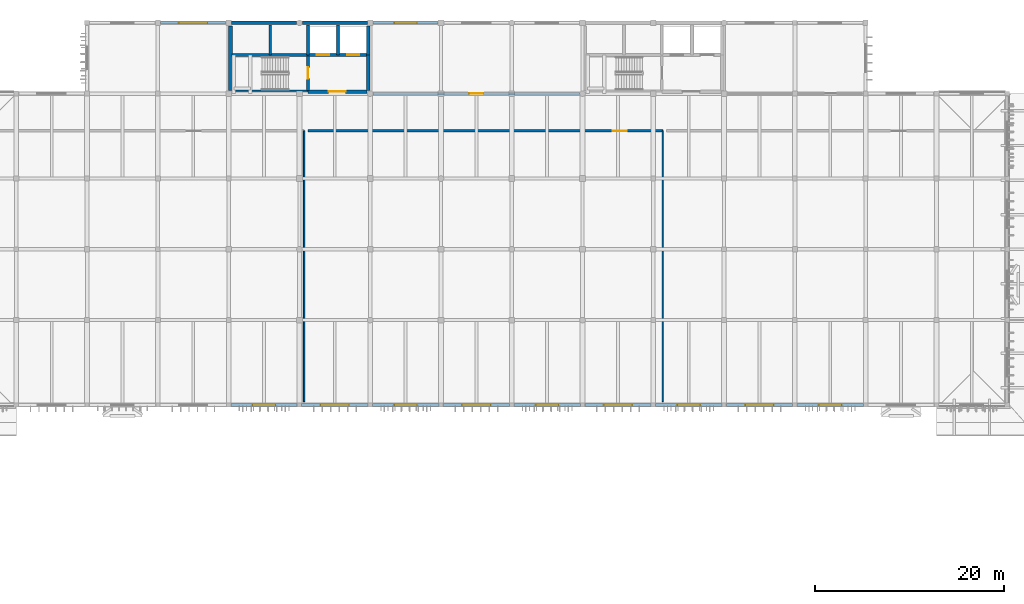
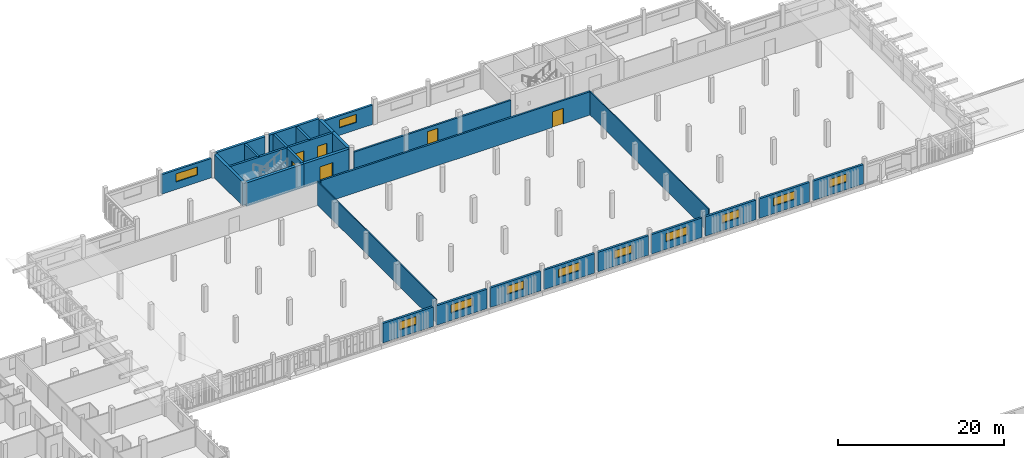
# One storey, part 22 of 43: 28 walls, 11 windows, 6 doors, 17 openings.
"""IFC4 building model written with IfcOpenShell, lengths in metres."""

from ifc_helpers import new_model, si_unit, direction, frame, frame_2d, origin, place, context, subcontext, project, spatial, rectangle, extrude, material, layer, layer_set, type_object, element, fill, save


model = new_model("IFC4")

# Units and contexts
model_context = context("Model", 3, precision=1e-05, world=origin(), true_north=direction((0.0, 1.0)))
body_context = subcontext(model_context, "Body", "Model", "MODEL_VIEW")
ifc_project = project(units=[si_unit("LENGTHUNIT", "METRE"), si_unit("AREAUNIT", "SQUARE_METRE"), si_unit("VOLUMEUNIT", "CUBIC_METRE"), si_unit("PLANEANGLEUNIT", "RADIAN"), si_unit("MASSUNIT", "GRAM", prefix="KILO")], contexts=[model_context])

# Site, building, storey
site_placement = place(None, origin())
site = spatial("IfcSite", under=ifc_project, at=site_placement, CompositionType="ELEMENT")
building_placement = place(site_placement, origin())
building = spatial("IfcBuilding", under=site, at=building_placement, Name="Dalvernix Boulevard General Hospital", CompositionType="ELEMENT")
storey_placement = place(building_placement, frame((0.0, 0.0, 14.10009765625)))
storey = spatial("IfcBuildingStorey", under=building, at=storey_placement, Name="L03", CompositionType="ELEMENT", Elevation=14.10009765625)

# Wall
ifc_material_1 = material(Name="Concrete C40/50", Category="concrete")
ifc_layer_1 = layer(ifc_material_1, 0.39990234375)
ifc_layer_set_1 = layer_set([ifc_layer_1], Name="Concrete C40/50 (WAL-CSW-01)")
wall_type_1 = type_object("IfcWallType", Name="WAL-CSW-01", PredefinedType="SHEAR", material=ifc_layer_set_1)
wall_1_placement = place(storey_placement, frame((60.35009765625, 109.699951171875, 0.0), z_axis=(0.0, 0.0, 1.0), x_axis=(1.0, 0.0, 0.0)))
element("IfcWall", 1, at=wall_1_placement, inside=storey, type_object=wall_type_1, Name="L03 C3 south stairwell wall", PredefinedType="SHEAR", context=body_context, shape_type="SweptSolid", body=[
    extrude(rectangle(XDim=8.0498046875, YDim=0.39990234375, at=frame_2d((4.02490234375, 0.0))), origin(), (0.0, 0.0, 1.0), 3.469970703125),
])

# Wall, opening, door
wall_2_placement = place(storey_placement, frame((68.39990234375, 109.699951171875, 0.0), z_axis=(0.0, 0.0, 1.0), x_axis=(1.0, 0.0, 0.0)))
wall_2 = element("IfcWall", 2, at=wall_2_placement, inside=storey, type_object=wall_type_1, Name="L03 C3 south firefighting lobby wall", PredefinedType="SHEAR", context=body_context, shape_type="SweptSolid", body=[
    extrude(rectangle(XDim=6.25, YDim=0.39990234375, at=frame_2d((3.125, 0.0))), origin(), (0.0, 0.0, 1.0), 3.469970703125),
])
opening_1_placement = place(wall_2_placement, frame((2.199951171875, 0.0, 0.0)))
opening_1 = element("IfcOpeningElement", 3, at=opening_1_placement, cuts=wall_2, Name="Opening FD-01", PredefinedType="OPENING", context=body_context, shape_type="SweptSolid", body=[
    extrude(rectangle(XDim=1.800048828125, YDim=2.25, at=frame_2d((0.89990234375, 1.125))), frame((0.0, 0.2099609375, 0.0), z_axis=(0.0, -1.0, 0.0), x_axis=(1.0, 0.0, 0.0)), (0.0, 0.0, 1.0), 0.419921875),
])
ifc_material_2 = material(Name="Hospital laminate acoustic timber and steel frame", Category="steel")
door_type_1 = type_object("IfcDoorType", Name="DR-FD-01", OperationType="DOUBLE_DOOR_SINGLE_SWING", PredefinedType="DOOR", material=ifc_material_2)
door_1_placement = place(opening_1_placement, origin())
door_1 = element("IfcDoor", 4, at=door_1_placement, inside=storey, type_object=door_type_1, Name="L03 C3 firefighting lobby door", OperationType="DOUBLE_DOOR_SINGLE_SWING", OverallHeight=2.25, OverallWidth=1.800048828125, PredefinedType="DOOR", context=body_context, shape_type="SweptSolid", body=[
    extrude(rectangle(XDim=1.800048828125, YDim=2.25, at=frame_2d((0.89990234375, 1.125))), frame((0.0, 0.02490234375, 0.0), z_axis=(0.0, -1.0, 0.0), x_axis=(1.0, 0.0, 0.0)), (0.0, 0.0, 1.0), 0.050048828125),
])
fill(opening_1, door_1)

# Walls
wall_3_placement = place(storey_placement, frame((60.199951171875, 109.85009765625, 0.0), z_axis=(0.0, 0.0, 1.0), x_axis=(0.0, 1.0, 0.0)))
element("IfcWall", 5, at=wall_3_placement, inside=storey, type_object=wall_type_1, Name="L03 C3 west core wall", PredefinedType="SHEAR", context=body_context, shape_type="SweptSolid", body=[
    extrude(rectangle(XDim=6.7998046875, YDim=0.39990234375, at=frame_2d((3.39990234375, 0.0))), origin(), (0.0, 0.0, 1.0), 3.469970703125),
])
wall_4_placement = place(storey_placement, frame((74.800048828125, 109.85009765625, 0.0), z_axis=(0.0, 0.0, 1.0), x_axis=(0.0, 1.0, 0.0)))
element("IfcWall", 6, at=wall_4_placement, inside=storey, type_object=wall_type_1, Name="L03 C3 east lobby core wall", PredefinedType="SHEAR", context=body_context, shape_type="SweptSolid", body=[
    extrude(rectangle(XDim=3.75, YDim=0.39990234375, at=frame_2d((1.875, 0.0))), origin(), (0.0, 0.0, 1.0), 3.469970703125),
])
wall_5_placement = place(storey_placement, frame((74.800048828125, 113.60009765625, 0.0), z_axis=(0.0, 0.0, 1.0), x_axis=(0.0, 1.0, 0.0)))
element("IfcWall", 7, at=wall_5_placement, inside=storey, type_object=wall_type_1, Name="L03 C3 east shaft core wall", PredefinedType="SHEAR", context=body_context, shape_type="SweptSolid", body=[
    extrude(rectangle(XDim=3.0498046875, YDim=0.39990234375, at=frame_2d((1.52490234375, 0.0))), origin(), (0.0, 0.0, 1.0), 3.469970703125),
])
ifc_layer_2 = layer(ifc_material_1, 0.300048828125)
ifc_layer_set_2 = layer_set([ifc_layer_2], Name="Concrete C40/50 (WAL-CSW-02)")
wall_type_2 = type_object("IfcWallType", Name="WAL-CSW-02", PredefinedType="SHEAR", material=ifc_layer_set_2)
wall_6_placement = place(storey_placement, frame((60.35009765625, 113.60009765625, 0.0), z_axis=(0.0, 0.0, 1.0), x_axis=(1.0, 0.0, 0.0)))
element("IfcWall", 8, at=wall_6_placement, inside=storey, type_object=wall_type_2, Name="L03 C3 riser spine wall", PredefinedType="SHEAR", context=body_context, shape_type="SweptSolid", body=[
    extrude(rectangle(XDim=8.0498046875, YDim=0.300048828125, at=frame_2d((4.02490234375, 0.0))), origin(), (0.0, 0.0, 1.0), 3.469970703125),
])

# Wall, openings, doors
wall_7_placement = place(storey_placement, frame((68.39990234375, 113.60009765625, 0.0), z_axis=(0.0, 0.0, 1.0), x_axis=(1.0, 0.0, 0.0)))
wall_7 = element("IfcWall", 9, at=wall_7_placement, inside=storey, type_object=wall_type_2, Name="L03 C3 lift shaft front wall", PredefinedType="SHEAR", context=body_context, shape_type="SweptSolid", body=[
    extrude(rectangle(XDim=6.25, YDim=0.300048828125, at=frame_2d((3.125, 0.0))), origin(), (0.0, 0.0, 1.0), 3.469970703125),
])
opening_2_placement = place(wall_7_placement, frame((0.949951171875, 0.0, 0.0)))
opening_2 = element("IfcOpeningElement", 10, at=opening_2_placement, cuts=wall_7, Name="Opening LD-LF-01-L03", PredefinedType="OPENING", context=body_context, shape_type="SweptSolid", body=[
    extrude(rectangle(XDim=1.300048828125, YDim=2.199951171875, at=frame_2d((0.64990234375, 1.10009765625))), frame((0.0, 0.159912109375, 0.0), z_axis=(0.0, -1.0, 0.0), x_axis=(1.0, 0.0, 0.0)), (0.0, 0.0, 1.0), 0.320068359375),
])
opening_3_placement = place(wall_7_placement, frame((4.14990234375, 0.0, 0.0)))
opening_3 = element("IfcOpeningElement", 11, at=opening_3_placement, cuts=wall_7, Name="Opening LD-LF-02-L03", PredefinedType="OPENING", context=body_context, shape_type="SweptSolid", body=[
    extrude(rectangle(XDim=1.300048828125, YDim=2.199951171875, at=frame_2d((0.64990234375, 1.10009765625))), frame((0.0, 0.159912109375, 0.0), z_axis=(0.0, -1.0, 0.0), x_axis=(1.0, 0.0, 0.0)), (0.0, 0.0, 1.0), 0.320068359375),
])
ifc_material_3 = material(Name="Stainless-clad steel", Category="steel")
door_type_2 = type_object("IfcDoorType", Name="DR-LD-02", OperationType="DOUBLE_DOOR_SLIDING", PredefinedType="DOOR", material=ifc_material_3)
door_2_placement = place(opening_2_placement, origin())
door_2 = element("IfcDoor", 12, at=door_2_placement, inside=storey, type_object=door_type_2, Name="L03 Lift LF-01 sliding landing door", OperationType="DOUBLE_DOOR_SLIDING", OverallHeight=2.199951171875, OverallWidth=1.300048828125, PredefinedType="DOOR", context=body_context, shape_type="SweptSolid", body=[
    extrude(rectangle(XDim=1.300048828125, YDim=2.199951171875, at=frame_2d((0.64990234375, 1.10009765625))), frame((0.0, 0.02490234375, 0.0), z_axis=(0.0, -1.0, 0.0), x_axis=(1.0, 0.0, 0.0)), (0.0, 0.0, 1.0), 0.050048828125),
])
fill(opening_2, door_2)
door_3_placement = place(opening_3_placement, origin())
door_3 = element("IfcDoor", 13, at=door_3_placement, inside=storey, type_object=door_type_2, Name="L03 Lift LF-02 sliding landing door", OperationType="DOUBLE_DOOR_SLIDING", OverallHeight=2.199951171875, OverallWidth=1.300048828125, PredefinedType="DOOR", context=body_context, shape_type="SweptSolid", body=[
    extrude(rectangle(XDim=1.300048828125, YDim=2.199951171875, at=frame_2d((0.64990234375, 1.10009765625))), frame((0.0, 0.02490234375, 0.0), z_axis=(0.0, -1.0, 0.0), x_axis=(1.0, 0.0, 0.0)), (0.0, 0.0, 1.0), 0.050048828125),
])
fill(opening_3, door_3)

# Wall, opening, door
wall_8_placement = place(storey_placement, frame((68.39990234375, 113.5, 0.0), z_axis=(0.0, 0.0, 1.0), x_axis=(0.0, -1.0, 0.0)))
wall_8 = element("IfcWall", 14, at=wall_8_placement, inside=storey, type_object=wall_type_2, Name="L03 C3 stairwell fire wall", PredefinedType="SHEAR", context=body_context, shape_type="SweptSolid", body=[
    extrude(rectangle(XDim=3.64990234375, YDim=0.300048828125, at=frame_2d((1.824951171875, 0.0))), origin(), (0.0, 0.0, 1.0), 3.469970703125),
])
opening_4_placement = place(wall_8_placement, frame((1.219970703125, 0.0, 0.0)))
opening_4 = element("IfcOpeningElement", 15, at=opening_4_placement, cuts=wall_8, Name="Opening FD-02", PredefinedType="OPENING", context=body_context, shape_type="SweptSolid", body=[
    extrude(rectangle(XDim=1.199951171875, YDim=2.25, at=frame_2d((0.60009765625, 1.125))), frame((0.0, 0.159912109375, 0.0), z_axis=(0.0, -1.0, 0.0), x_axis=(1.0, 0.0, 0.0)), (0.0, 0.0, 1.0), 0.320068359375),
])
door_type_3 = type_object("IfcDoorType", Name="DR-FD-02", OperationType="NOTDEFINED", PredefinedType="DOOR", material=ifc_material_2)
door_4_placement = place(opening_4_placement, origin())
door_4 = element("IfcDoor", 16, at=door_4_placement, inside=storey, type_object=door_type_3, Name="L03 Stair ST-03 fire door", OperationType="SINGLE_SWING_LEFT", OverallHeight=2.25, OverallWidth=1.199951171875, PredefinedType="DOOR", context=body_context, shape_type="SweptSolid", body=[
    extrude(rectangle(XDim=1.199951171875, YDim=2.25, at=frame_2d((0.60009765625, 1.125))), frame((0.0, 0.02490234375, 0.0), z_axis=(0.0, -1.0, 0.0), x_axis=(1.0, 0.0, 0.0)), (0.0, 0.0, 1.0), 0.050048828125),
])
fill(opening_4, door_4)

# Walls
for number, where, z_axis, x_axis, name in (
    (17, (64.39990234375, 113.60009765625, 0.0), (0.0, 0.0, 1.0), (0.0, 1.0, 0.0), "L03 C3 shaft divider R1"),
    (18, (68.39990234375, 113.60009765625, 0.0), (0.0, 0.0, 1.0), (0.0, 1.0, 0.0), "L03 C3 shaft divider R2"),
    (19, (71.60009765625, 113.60009765625, 0.0), (0.0, 0.0, 1.0), (0.0, 1.0, 0.0), "L03 C3 shaft divider L1"),
):
    element("IfcWall", number, at=place(storey_placement, frame(where, z_axis=z_axis, x_axis=x_axis)), inside=storey, type_object=wall_type_2, Name=name, PredefinedType="SHEAR", context=body_context, shape_type="SweptSolid", body=[
        extrude(rectangle(XDim=3.14990234375, YDim=0.300048828125, at=frame_2d((1.574951171875, 0.0))), origin(), (0.0, 0.0, 1.0), 3.469970703125),
    ])
ifc_layer_3 = layer(ifc_material_1, 0.35009765625)
ifc_layer_set_3 = layer_set([ifc_layer_3], Name="Concrete C40/50 (WAL-ESW-01)")
wall_type_3 = type_object("IfcWallType", Name="WAL-ESW-01", PredefinedType="SHEAR", material=ifc_layer_set_3)
for number, where, z_axis, x_axis, name in (
    (20, (60.31005859375, 117.0, 0.0), (0.0, 0.0, 1.0), (1.0, 0.0, 0.0), "L03 core perimeter shear wall N 8-15"),
    (21, (67.81005859375, 117.0, 0.0), (0.0, 0.0, 1.0), (1.0, 0.0, 0.0), "L03 core perimeter shear wall N 9-15"),
):
    element("IfcWall", number, at=place(storey_placement, frame(where, z_axis=z_axis, x_axis=x_axis)), inside=storey, type_object=wall_type_3, Name=name, PredefinedType="SHEAR", context=body_context, shape_type="SweptSolid", body=[
        extrude(rectangle(XDim=6.8798828125, YDim=0.35009765625, at=frame_2d((3.43994140625, 0.0))), origin(), (0.0, 0.0, 1.0), 3.469970703125),
    ])

# Wall, opening, window
ifc_material_4 = material(Name="Pressed Catalan clay brick and ceramic spandrel wall C35/45", Category="masonry")
ifc_layer_4 = layer(ifc_material_4, 0.300048828125)
ifc_layer_set_4 = layer_set([ifc_layer_4], Name="Pressed Catalan clay brick and ceramic spandrel wall C35/45 (WAL-EW-02)")
wall_type_4 = type_object("IfcWallType", Name="WAL-EW-02", PredefinedType="STANDARD", material=ifc_layer_set_4)
wall_9_placement = place(storey_placement, frame((52.784912109375, 117.0, 0.0), z_axis=(0.0, 0.0, 1.0), x_axis=(1.0, 0.0, 0.0)))
wall_9 = element("IfcWall", 22, at=wall_9_placement, inside=storey, type_object=wall_type_4, Name="L03 Catalan brick external wall N 7-15", PredefinedType="STANDARD", context=body_context, shape_type="SweptSolid", body=[
    extrude(rectangle(XDim=6.905029296875, YDim=0.300048828125, at=frame_2d((3.45263671875, 0.0))), origin(), (0.0, 0.0, 1.0), 2.869873046875),
])
opening_5_placement = place(wall_9_placement, frame((1.952392578125, 0.0, 1.10009765625)))
opening_5 = element("IfcOpeningElement", 23, at=opening_5_placement, cuts=wall_9, Name="Opening WN-18", PredefinedType="OPENING", context=body_context, shape_type="SweptSolid", body=[
    extrude(rectangle(XDim=3.0, YDim=1.199951171875, at=frame_2d((1.5, 0.60009765625))), frame((0.0, 0.159912109375, 0.0), z_axis=(0.0, -1.0, 0.0), x_axis=(1.0, 0.0, 0.0)), (0.0, 0.0, 1.0), 0.320068359375),
])
ifc_material_5 = material(Name="Thermally broken aluminium frame with solar-control double glazing", Category="aluminium")
window_type_1 = type_object("IfcWindowType", Name="WIN-WN-18", PartitioningType="SINGLE_PANEL", PredefinedType="WINDOW", material=ifc_material_5)
window_1_placement = place(opening_5_placement, origin())
window_1 = element("IfcWindow", 24, at=window_1_placement, inside=storey, type_object=window_type_1, Name="L03 clinical window WN-18 N 7-15", OverallHeight=1.199951171875, OverallWidth=3.0, PartitioningType="SINGLE_PANEL", PredefinedType="WINDOW", context=body_context, shape_type="SweptSolid", body=[
    extrude(rectangle(XDim=3.0, YDim=1.199951171875, at=frame_2d((1.5, 0.60009765625))), frame((0.0, 0.030029296875, 0.0), z_axis=(0.0, -1.0, 0.0), x_axis=(1.0, 0.0, 0.0)), (0.0, 0.0, 1.0), 0.06005859375),
])
fill(opening_5, window_1)

wall_10_placement = place(storey_placement, frame((67.264892578125, 76.5, 0.0), z_axis=(0.0, 0.0, 1.0), x_axis=(-1.0, 0.0, 0.0)))
wall_10 = element("IfcWall", 25, at=wall_10_placement, inside=storey, type_object=wall_type_4, Name="L03 Catalan brick external wall S 8-10", PredefinedType="STANDARD", context=body_context, shape_type="SweptSolid", body=[
    extrude(rectangle(XDim=7.02978515625, YDim=0.300048828125, at=frame_2d((3.514892578125, 0.0))), origin(), (0.0, 0.0, 1.0), 2.869873046875),
])
opening_6_placement = place(wall_10_placement, frame((2.31494140625, 0.0, 1.10009765625)))
opening_6 = element("IfcOpeningElement", 26, at=opening_6_placement, cuts=wall_10, Name="Opening WN-17", PredefinedType="OPENING", context=body_context, shape_type="SweptSolid", body=[
    extrude(rectangle(XDim=2.39990234375, YDim=1.199951171875, at=frame_2d((1.199951171875, 0.60009765625))), frame((0.0, 0.159912109375, 0.0), z_axis=(0.0, -1.0, 0.0), x_axis=(1.0, 0.0, 0.0)), (0.0, 0.0, 1.0), 0.320068359375),
])
window_type_2 = type_object("IfcWindowType", Name="WIN-WN-17", PartitioningType="SINGLE_PANEL", PredefinedType="WINDOW", material=ifc_material_5)
window_2_placement = place(opening_6_placement, origin())
window_2 = element("IfcWindow", 27, at=window_2_placement, inside=storey, type_object=window_type_2, Name="L03 clinical window WN-17 S 8-10", OverallHeight=1.199951171875, OverallWidth=2.39990234375, PartitioningType="SINGLE_PANEL", PredefinedType="WINDOW", context=body_context, shape_type="SweptSolid", body=[
    extrude(rectangle(XDim=2.39990234375, YDim=1.199951171875, at=frame_2d((1.199951171875, 0.60009765625))), frame((0.0, 0.030029296875, 0.0), z_axis=(0.0, -1.0, 0.0), x_axis=(1.0, 0.0, 0.0)), (0.0, 0.0, 1.0), 0.06005859375),
])
fill(opening_6, window_2)

wall_11_placement = place(storey_placement, frame((74.764892578125, 76.5, 0.0), z_axis=(0.0, 0.0, 1.0), x_axis=(-1.0, 0.0, 0.0)))
wall_11 = element("IfcWall", 28, at=wall_11_placement, inside=storey, type_object=wall_type_4, Name="L03 Catalan brick external wall S 9-10", PredefinedType="STANDARD", context=body_context, shape_type="SweptSolid", body=[
    extrude(rectangle(XDim=7.02978515625, YDim=0.300048828125, at=frame_2d((3.514892578125, 0.0))), origin(), (0.0, 0.0, 1.0), 2.869873046875),
])
opening_7_placement = place(wall_11_placement, frame((2.014892578125, 0.0, 1.10009765625)))
opening_7 = element("IfcOpeningElement", 29, at=opening_7_placement, cuts=wall_11, Name="Opening WN-18", PredefinedType="OPENING", context=body_context, shape_type="SweptSolid", body=[
    extrude(rectangle(XDim=3.0, YDim=1.199951171875, at=frame_2d((1.5, 0.60009765625))), frame((0.0, 0.159912109375, 0.0), z_axis=(0.0, -1.0, 0.0), x_axis=(1.0, 0.0, 0.0)), (0.0, 0.0, 1.0), 0.320068359375),
])
window_3_placement = place(opening_7_placement, origin())
window_3 = element("IfcWindow", 30, at=window_3_placement, inside=storey, type_object=window_type_1, Name="L03 clinical window WN-18 S 9-10", OverallHeight=1.199951171875, OverallWidth=3.0, PartitioningType="SINGLE_PANEL", PredefinedType="WINDOW", context=body_context, shape_type="SweptSolid", body=[
    extrude(rectangle(XDim=3.0, YDim=1.199951171875, at=frame_2d((1.5, 0.60009765625))), frame((0.0, 0.030029296875, 0.0), z_axis=(0.0, -1.0, 0.0), x_axis=(1.0, 0.0, 0.0)), (0.0, 0.0, 1.0), 0.06005859375),
])
fill(opening_7, window_3)

wall_12_placement = place(storey_placement, frame((82.264892578125, 76.5, 0.0), z_axis=(0.0, 0.0, 1.0), x_axis=(-1.0, 0.0, 0.0)))
wall_12 = element("IfcWall", 31, at=wall_12_placement, inside=storey, type_object=wall_type_4, Name="L03 Catalan brick external wall S 10-10", PredefinedType="STANDARD", context=body_context, shape_type="SweptSolid", body=[
    extrude(rectangle(XDim=7.02978515625, YDim=0.300048828125, at=frame_2d((3.514892578125, 0.0))), origin(), (0.0, 0.0, 1.0), 2.869873046875),
])
opening_8_placement = place(wall_12_placement, frame((2.31494140625, 0.0, 1.10009765625)))
opening_8 = element("IfcOpeningElement", 32, at=opening_8_placement, cuts=wall_12, Name="Opening WN-17", PredefinedType="OPENING", context=body_context, shape_type="SweptSolid", body=[
    extrude(rectangle(XDim=2.39990234375, YDim=1.199951171875, at=frame_2d((1.199951171875, 0.60009765625))), frame((0.0, 0.159912109375, 0.0), z_axis=(0.0, -1.0, 0.0), x_axis=(1.0, 0.0, 0.0)), (0.0, 0.0, 1.0), 0.320068359375),
])
window_4_placement = place(opening_8_placement, origin())
window_4 = element("IfcWindow", 33, at=window_4_placement, inside=storey, type_object=window_type_2, Name="L03 clinical window WN-17 S 10-10", OverallHeight=1.199951171875, OverallWidth=2.39990234375, PartitioningType="SINGLE_PANEL", PredefinedType="WINDOW", context=body_context, shape_type="SweptSolid", body=[
    extrude(rectangle(XDim=2.39990234375, YDim=1.199951171875, at=frame_2d((1.199951171875, 0.60009765625))), frame((0.0, 0.030029296875, 0.0), z_axis=(0.0, -1.0, 0.0), x_axis=(1.0, 0.0, 0.0)), (0.0, 0.0, 1.0), 0.06005859375),
])
fill(opening_8, window_4)

wall_13_placement = place(storey_placement, frame((75.31005859375, 117.0, 0.0), z_axis=(0.0, 0.0, 1.0), x_axis=(1.0, 0.0, 0.0)))
wall_13 = element("IfcWall", 34, at=wall_13_placement, inside=storey, type_object=wall_type_4, Name="L03 Catalan brick external wall N 10-15", PredefinedType="STANDARD", context=body_context, shape_type="SweptSolid", body=[
    extrude(rectangle(XDim=6.8798828125, YDim=0.300048828125, at=frame_2d((3.43994140625, 0.0))), origin(), (0.0, 0.0, 1.0), 2.869873046875),
])
opening_9_placement = place(wall_13_placement, frame((2.239990234375, 0.0, 1.10009765625)))
opening_9 = element("IfcOpeningElement", 35, at=opening_9_placement, cuts=wall_13, Name="Opening WN-17", PredefinedType="OPENING", context=body_context, shape_type="SweptSolid", body=[
    extrude(rectangle(XDim=2.39990234375, YDim=1.199951171875, at=frame_2d((1.199951171875, 0.60009765625))), frame((0.0, 0.159912109375, 0.0), z_axis=(0.0, -1.0, 0.0), x_axis=(1.0, 0.0, 0.0)), (0.0, 0.0, 1.0), 0.320068359375),
])
window_5_placement = place(opening_9_placement, origin())
window_5 = element("IfcWindow", 36, at=window_5_placement, inside=storey, type_object=window_type_2, Name="L03 clinical window WN-17 N 10-15", OverallHeight=1.199951171875, OverallWidth=2.39990234375, PartitioningType="SINGLE_PANEL", PredefinedType="WINDOW", context=body_context, shape_type="SweptSolid", body=[
    extrude(rectangle(XDim=2.39990234375, YDim=1.199951171875, at=frame_2d((1.199951171875, 0.60009765625))), frame((0.0, 0.030029296875, 0.0), z_axis=(0.0, -1.0, 0.0), x_axis=(1.0, 0.0, 0.0)), (0.0, 0.0, 1.0), 0.06005859375),
])
fill(opening_9, window_5)

wall_14_placement = place(storey_placement, frame((89.764892578125, 76.5, 0.0), z_axis=(0.0, 0.0, 1.0), x_axis=(-1.0, 0.0, 0.0)))
wall_14 = element("IfcWall", 37, at=wall_14_placement, inside=storey, type_object=wall_type_4, Name="L03 Catalan brick external wall S 11-10", PredefinedType="STANDARD", context=body_context, shape_type="SweptSolid", body=[
    extrude(rectangle(XDim=7.02978515625, YDim=0.300048828125, at=frame_2d((3.514892578125, 0.0))), origin(), (0.0, 0.0, 1.0), 2.869873046875),
])
opening_10_placement = place(wall_14_placement, frame((2.014892578125, 0.0, 1.10009765625)))
opening_10 = element("IfcOpeningElement", 38, at=opening_10_placement, cuts=wall_14, Name="Opening WN-18", PredefinedType="OPENING", context=body_context, shape_type="SweptSolid", body=[
    extrude(rectangle(XDim=3.0, YDim=1.199951171875, at=frame_2d((1.5, 0.60009765625))), frame((0.0, 0.159912109375, 0.0), z_axis=(0.0, -1.0, 0.0), x_axis=(1.0, 0.0, 0.0)), (0.0, 0.0, 1.0), 0.320068359375),
])
window_6_placement = place(opening_10_placement, origin())
window_6 = element("IfcWindow", 39, at=window_6_placement, inside=storey, type_object=window_type_1, Name="L03 clinical window WN-18 S 11-10", OverallHeight=1.199951171875, OverallWidth=3.0, PartitioningType="SINGLE_PANEL", PredefinedType="WINDOW", context=body_context, shape_type="SweptSolid", body=[
    extrude(rectangle(XDim=3.0, YDim=1.199951171875, at=frame_2d((1.5, 0.60009765625))), frame((0.0, 0.030029296875, 0.0), z_axis=(0.0, -1.0, 0.0), x_axis=(1.0, 0.0, 0.0)), (0.0, 0.0, 1.0), 0.06005859375),
])
fill(opening_10, window_6)

wall_15_placement = place(storey_placement, frame((97.264892578125, 76.5, 0.0), z_axis=(0.0, 0.0, 1.0), x_axis=(-1.0, 0.0, 0.0)))
wall_15 = element("IfcWall", 40, at=wall_15_placement, inside=storey, type_object=wall_type_4, Name="L03 Catalan brick external wall S 12-10", PredefinedType="STANDARD", context=body_context, shape_type="SweptSolid", body=[
    extrude(rectangle(XDim=7.02978515625, YDim=0.300048828125, at=frame_2d((3.514892578125, 0.0))), origin(), (0.0, 0.0, 1.0), 2.869873046875),
])
opening_11_placement = place(wall_15_placement, frame((2.31494140625, 0.0, 1.10009765625)))
opening_11 = element("IfcOpeningElement", 41, at=opening_11_placement, cuts=wall_15, Name="Opening WN-17", PredefinedType="OPENING", context=body_context, shape_type="SweptSolid", body=[
    extrude(rectangle(XDim=2.39990234375, YDim=1.199951171875, at=frame_2d((1.199951171875, 0.60009765625))), frame((0.0, 0.159912109375, 0.0), z_axis=(0.0, -1.0, 0.0), x_axis=(1.0, 0.0, 0.0)), (0.0, 0.0, 1.0), 0.320068359375),
])
window_7_placement = place(opening_11_placement, origin())
window_7 = element("IfcWindow", 42, at=window_7_placement, inside=storey, type_object=window_type_2, Name="L03 clinical window WN-17 S 12-10", OverallHeight=1.199951171875, OverallWidth=2.39990234375, PartitioningType="SINGLE_PANEL", PredefinedType="WINDOW", context=body_context, shape_type="SweptSolid", body=[
    extrude(rectangle(XDim=2.39990234375, YDim=1.199951171875, at=frame_2d((1.199951171875, 0.60009765625))), frame((0.0, 0.030029296875, 0.0), z_axis=(0.0, -1.0, 0.0), x_axis=(1.0, 0.0, 0.0)), (0.0, 0.0, 1.0), 0.06005859375),
])
fill(opening_11, window_7)

wall_16_placement = place(storey_placement, frame((104.764892578125, 76.5, 0.0), z_axis=(0.0, 0.0, 1.0), x_axis=(-1.0, 0.0, 0.0)))
wall_16 = element("IfcWall", 43, at=wall_16_placement, inside=storey, type_object=wall_type_4, Name="L03 Catalan brick external wall S 13-10", PredefinedType="STANDARD", context=body_context, shape_type="SweptSolid", body=[
    extrude(rectangle(XDim=7.02978515625, YDim=0.300048828125, at=frame_2d((3.514892578125, 0.0))), origin(), (0.0, 0.0, 1.0), 2.869873046875),
])
opening_12_placement = place(wall_16_placement, frame((2.014892578125, 0.0, 1.10009765625)))
opening_12 = element("IfcOpeningElement", 44, at=opening_12_placement, cuts=wall_16, Name="Opening WN-18", PredefinedType="OPENING", context=body_context, shape_type="SweptSolid", body=[
    extrude(rectangle(XDim=3.0, YDim=1.199951171875, at=frame_2d((1.5, 0.60009765625))), frame((0.0, 0.159912109375, 0.0), z_axis=(0.0, -1.0, 0.0), x_axis=(1.0, 0.0, 0.0)), (0.0, 0.0, 1.0), 0.320068359375),
])
window_8_placement = place(opening_12_placement, origin())
window_8 = element("IfcWindow", 45, at=window_8_placement, inside=storey, type_object=window_type_1, Name="L03 clinical window WN-18 S 13-10", OverallHeight=1.199951171875, OverallWidth=3.0, PartitioningType="SINGLE_PANEL", PredefinedType="WINDOW", context=body_context, shape_type="SweptSolid", body=[
    extrude(rectangle(XDim=3.0, YDim=1.199951171875, at=frame_2d((1.5, 0.60009765625))), frame((0.0, 0.030029296875, 0.0), z_axis=(0.0, -1.0, 0.0), x_axis=(1.0, 0.0, 0.0)), (0.0, 0.0, 1.0), 0.06005859375),
])
fill(opening_12, window_8)

wall_17_placement = place(storey_placement, frame((112.264892578125, 76.5, 0.0), z_axis=(0.0, 0.0, 1.0), x_axis=(-1.0, 0.0, 0.0)))
wall_17 = element("IfcWall", 46, at=wall_17_placement, inside=storey, type_object=wall_type_4, Name="L03 Catalan brick external wall S 14-10", PredefinedType="STANDARD", context=body_context, shape_type="SweptSolid", body=[
    extrude(rectangle(XDim=7.02978515625, YDim=0.300048828125, at=frame_2d((3.514892578125, 0.0))), origin(), (0.0, 0.0, 1.0), 2.869873046875),
])
opening_13_placement = place(wall_17_placement, frame((2.31494140625, 0.0, 1.10009765625)))
opening_13 = element("IfcOpeningElement", 47, at=opening_13_placement, cuts=wall_17, Name="Opening WN-17", PredefinedType="OPENING", context=body_context, shape_type="SweptSolid", body=[
    extrude(rectangle(XDim=2.39990234375, YDim=1.199951171875, at=frame_2d((1.199951171875, 0.60009765625))), frame((0.0, 0.159912109375, 0.0), z_axis=(0.0, -1.0, 0.0), x_axis=(1.0, 0.0, 0.0)), (0.0, 0.0, 1.0), 0.320068359375),
])
window_9_placement = place(opening_13_placement, origin())
window_9 = element("IfcWindow", 48, at=window_9_placement, inside=storey, type_object=window_type_2, Name="L03 clinical window WN-17 S 14-10", OverallHeight=1.199951171875, OverallWidth=2.39990234375, PartitioningType="SINGLE_PANEL", PredefinedType="WINDOW", context=body_context, shape_type="SweptSolid", body=[
    extrude(rectangle(XDim=2.39990234375, YDim=1.199951171875, at=frame_2d((1.199951171875, 0.60009765625))), frame((0.0, 0.030029296875, 0.0), z_axis=(0.0, -1.0, 0.0), x_axis=(1.0, 0.0, 0.0)), (0.0, 0.0, 1.0), 0.06005859375),
])
fill(opening_13, window_9)

wall_18_placement = place(storey_placement, frame((119.764892578125, 76.5, 0.0), z_axis=(0.0, 0.0, 1.0), x_axis=(-1.0, 0.0, 0.0)))
wall_18 = element("IfcWall", 49, at=wall_18_placement, inside=storey, type_object=wall_type_4, Name="L03 Catalan brick external wall S 15-10", PredefinedType="STANDARD", context=body_context, shape_type="SweptSolid", body=[
    extrude(rectangle(XDim=7.02978515625, YDim=0.300048828125, at=frame_2d((3.514892578125, 0.0))), origin(), (0.0, 0.0, 1.0), 2.869873046875),
])
opening_14_placement = place(wall_18_placement, frame((2.014892578125, 0.0, 1.10009765625)))
opening_14 = element("IfcOpeningElement", 50, at=opening_14_placement, cuts=wall_18, Name="Opening WN-18", PredefinedType="OPENING", context=body_context, shape_type="SweptSolid", body=[
    extrude(rectangle(XDim=3.0, YDim=1.199951171875, at=frame_2d((1.5, 0.60009765625))), frame((0.0, 0.159912109375, 0.0), z_axis=(0.0, -1.0, 0.0), x_axis=(1.0, 0.0, 0.0)), (0.0, 0.0, 1.0), 0.320068359375),
])
window_10_placement = place(opening_14_placement, origin())
window_10 = element("IfcWindow", 51, at=window_10_placement, inside=storey, type_object=window_type_1, Name="L03 clinical window WN-18 S 15-10", OverallHeight=1.199951171875, OverallWidth=3.0, PartitioningType="SINGLE_PANEL", PredefinedType="WINDOW", context=body_context, shape_type="SweptSolid", body=[
    extrude(rectangle(XDim=3.0, YDim=1.199951171875, at=frame_2d((1.5, 0.60009765625))), frame((0.0, 0.030029296875, 0.0), z_axis=(0.0, -1.0, 0.0), x_axis=(1.0, 0.0, 0.0)), (0.0, 0.0, 1.0), 0.06005859375),
])
fill(opening_14, window_10)

wall_19_placement = place(storey_placement, frame((127.264892578125, 76.5, 0.0), z_axis=(0.0, 0.0, 1.0), x_axis=(-1.0, 0.0, 0.0)))
wall_19 = element("IfcWall", 52, at=wall_19_placement, inside=storey, type_object=wall_type_4, Name="L03 Catalan brick external wall S 16-10", PredefinedType="STANDARD", context=body_context, shape_type="SweptSolid", body=[
    extrude(rectangle(XDim=7.02978515625, YDim=0.300048828125, at=frame_2d((3.514892578125, 0.0))), origin(), (0.0, 0.0, 1.0), 2.869873046875),
])
opening_15_placement = place(wall_19_placement, frame((2.31494140625, 0.0, 1.10009765625)))
opening_15 = element("IfcOpeningElement", 53, at=opening_15_placement, cuts=wall_19, Name="Opening WN-17", PredefinedType="OPENING", context=body_context, shape_type="SweptSolid", body=[
    extrude(rectangle(XDim=2.39990234375, YDim=1.199951171875, at=frame_2d((1.199951171875, 0.60009765625))), frame((0.0, 0.159912109375, 0.0), z_axis=(0.0, -1.0, 0.0), x_axis=(1.0, 0.0, 0.0)), (0.0, 0.0, 1.0), 0.320068359375),
])
window_11_placement = place(opening_15_placement, origin())
window_11 = element("IfcWindow", 54, at=window_11_placement, inside=storey, type_object=window_type_2, Name="L03 clinical window WN-17 S 16-10", OverallHeight=1.199951171875, OverallWidth=2.39990234375, PartitioningType="SINGLE_PANEL", PredefinedType="WINDOW", context=body_context, shape_type="SweptSolid", body=[
    extrude(rectangle(XDim=2.39990234375, YDim=1.199951171875, at=frame_2d((1.199951171875, 0.60009765625))), frame((0.0, 0.030029296875, 0.0), z_axis=(0.0, -1.0, 0.0), x_axis=(1.0, 0.0, 0.0)), (0.0, 0.0, 1.0), 0.06005859375),
])
fill(opening_15, window_11)

# Wall, opening, door
ifc_material_6 = material(Name="Acoustic fire-rated masonry clinical wall", Category="masonry")
ifc_layer_5 = layer(ifc_material_6, 0.25)
ifc_layer_set_5 = layer_set([ifc_layer_5], Name="Acoustic fire-rated masonry clinical wall (WAL-IW-01)")
wall_type_5 = type_object("IfcWallType", Name="WAL-IW-01", PredefinedType="STANDARD", material=ifc_layer_set_5)
wall_20_placement = place(storey_placement, frame((106.0, 105.550048828125, 0.0), z_axis=(0.0, 0.0, 1.0), x_axis=(-1.0, 0.0, 0.0)))
wall_20 = element("IfcWall", 55, at=wall_20_placement, inside=storey, type_object=wall_type_5, Name="L03 Interstitial ICU Air-Handling and Clean Steam Plant corridor wall", PredefinedType="STANDARD", context=body_context, shape_type="SweptSolid", body=[
    extrude(rectangle(XDim=37.60009765625, YDim=0.25, at=frame_2d((18.800048828125, 0.0))), origin(), (0.0, 0.0, 1.0), 3.454833984375),
])
opening_16_placement = place(wall_20_placement, frame((3.81005859375, 0.0, 0.0)))
opening_16 = element("IfcOpeningElement", 56, at=opening_16_placement, cuts=wall_20, Name="Opening ID-14", PredefinedType="OPENING", context=body_context, shape_type="SweptSolid", body=[
    extrude(rectangle(XDim=1.5, YDim=2.300048828125, at=frame_2d((0.75, 1.14990234375))), frame((0.0, 0.135009765625, 0.0), z_axis=(0.0, -1.0, 0.0), x_axis=(1.0, 0.0, 0.0)), (0.0, 0.0, 1.0), 0.27001953125),
])
door_type_4 = type_object("IfcDoorType", Name="DR-ID-14", OperationType="DOUBLE_DOOR_SINGLE_SWING", PredefinedType="DOOR", material=ifc_material_2)
door_5_placement = place(opening_16_placement, origin())
door_5 = element("IfcDoor", 57, at=door_5_placement, inside=storey, type_object=door_type_4, Name="L03 Interstitial ICU Air-Handling and Clean Steam Plant door", OperationType="DOUBLE_DOOR_SINGLE_SWING", OverallHeight=2.300048828125, OverallWidth=1.5, PredefinedType="DOOR", context=body_context, shape_type="SweptSolid", body=[
    extrude(rectangle(XDim=1.5, YDim=2.300048828125, at=frame_2d((0.75, 1.14990234375))), frame((0.0, 0.02490234375, 0.0), z_axis=(0.0, -1.0, 0.0), x_axis=(1.0, 0.0, 0.0)), (0.0, 0.0, 1.0), 0.050048828125),
])
fill(opening_16, door_5)

wall_21_placement = place(storey_placement, frame((75.300048828125, 109.5, 0.0), z_axis=(0.0, 0.0, 1.0), x_axis=(1.0, 0.0, 0.0)))
wall_21 = element("IfcWall", 58, at=wall_21_placement, inside=storey, type_object=wall_type_5, Name="L03 Clinical Medical Records and Mobile Shelving Archive corridor wall", PredefinedType="STANDARD", context=body_context, shape_type="SweptSolid", body=[
    extrude(rectangle(XDim=21.89990234375, YDim=0.25, at=frame_2d((10.949951171875, 0.0))), origin(), (0.0, 0.0, 1.0), 2.85498046875),
])
opening_17_placement = place(wall_21_placement, frame((10.199951171875, 0.0, 0.0)))
opening_17 = element("IfcOpeningElement", 59, at=opening_17_placement, cuts=wall_21, Name="Opening ID-14", PredefinedType="OPENING", context=body_context, shape_type="SweptSolid", body=[
    extrude(rectangle(XDim=1.5, YDim=2.300048828125, at=frame_2d((0.75, 1.14990234375))), frame((0.0, 0.135009765625, 0.0), z_axis=(0.0, -1.0, 0.0), x_axis=(1.0, 0.0, 0.0)), (0.0, 0.0, 1.0), 0.27001953125),
])
door_6_placement = place(opening_17_placement, origin())
door_6 = element("IfcDoor", 60, at=door_6_placement, inside=storey, type_object=door_type_4, Name="L03 Clinical Medical Records and Mobile Shelving Archive door", OperationType="DOUBLE_DOOR_SINGLE_SWING", OverallHeight=2.300048828125, OverallWidth=1.5, PredefinedType="DOOR", context=body_context, shape_type="SweptSolid", body=[
    extrude(rectangle(XDim=1.5, YDim=2.300048828125, at=frame_2d((0.75, 1.14990234375))), frame((0.0, 0.02490234375, 0.0), z_axis=(0.0, -1.0, 0.0), x_axis=(1.0, 0.0, 0.0)), (0.0, 0.0, 1.0), 0.050048828125),
])
fill(opening_17, door_6)

# Walls
ifc_material_7 = material(Name="Acoustic double-stud gypsum inpatient partition")
ifc_layer_6 = layer(ifc_material_7, 0.14990234375)
ifc_layer_set_6 = layer_set([ifc_layer_6], Name="Acoustic double-stud gypsum inpatient partition (WAL-IW-04)")
wall_type_6 = type_object("IfcWallType", Name="WAL-IW-04", PredefinedType="PARTITIONING", material=ifc_layer_set_6)
for number, where, z_axis, x_axis, name in (
    (61, (68.0, 76.85009765625, 0.0), (0.0, 0.0, 1.0), (0.0, 1.0, 0.0), "L03 Interstitial Surgical HVAC Air-Handling Plant West partition"),
    (62, (106.0, 76.85009765625, 0.0), (0.0, 0.0, 1.0), (0.0, 1.0, 0.0), "L03 Interstitial ICU Air-Handling and Clean Steam Plant partition"),
):
    element("IfcWall", number, at=place(storey_placement, frame(where, z_axis=z_axis, x_axis=x_axis)), inside=storey, type_object=wall_type_6, Name=name, PredefinedType="PARTITIONING", context=body_context, shape_type="SweptSolid", body=[
        extrude(rectangle(XDim=28.699951171875, YDim=0.14990234375, at=frame_2d((14.35009765625, 0.0))), origin(), (0.0, 0.0, 1.0), 3.454833984375),
    ])

save(model, "model.ifc")
